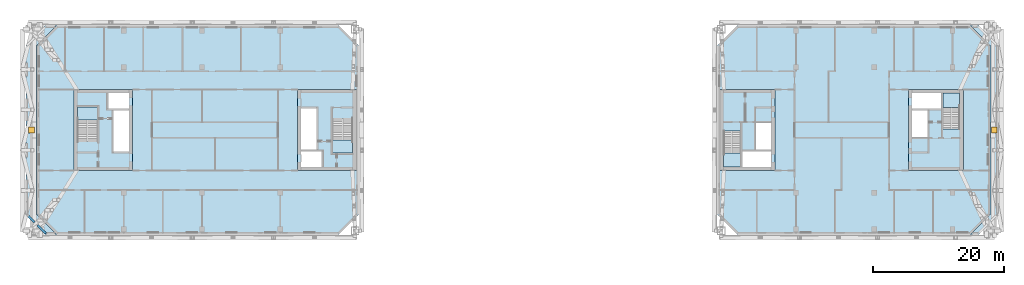
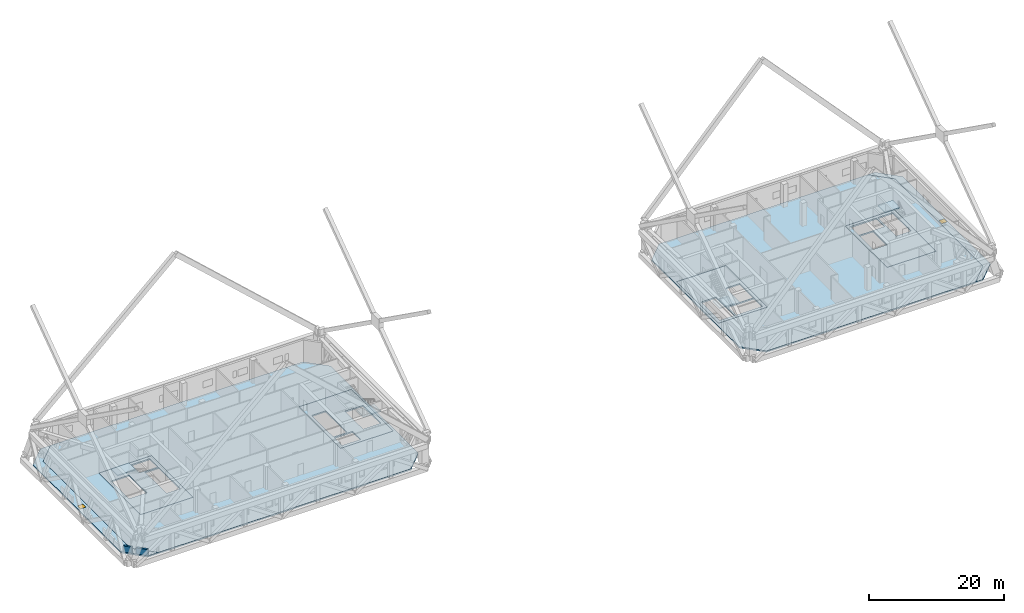
# One storey, part 6 of 22: 12 slabs, 2 walls, 2 windows, 2 openings, 4 elements without a shape of their own.
"""IFC4 building model written with IfcOpenShell, lengths in metres."""

import ifcopenshell
import ifcopenshell.guid

model = None  # the IFC model being written
_history = None  # IfcOwnerHistory: only IFC2X3 demands one
_inside = {}  # id of a spatial element -> (the spatial element, [elements in it])
_under = {}  # id of a project, library or spatial element -> (it, [spatial elements below it])
_declared = {}  # id of a project -> (the project, [libraries it declares])
_typed = {}  # id of a type object -> (the type object, [elements of that type])
_made_of = {}  # id of a material, layer set ... -> (it, [elements and type objects made of it])


def new_model(schema):
    """Start an empty IFC model of exactly this schema.

    Asked for "IFC4X3", IfcOpenShell would pick the latest addendum, in which some entities
    have other attributes; the version numbers below select the first issue.
    IFC2X3 requires an IfcOwnerHistory on every rooted entity: one is made here for all.
    """
    global model, _history
    if schema == "IFC4X3":
        model = ifcopenshell.file(schema_version=(4, 3, 0, 0))
    else:
        model = ifcopenshell.file(schema=schema)
    _inside.clear()
    _under.clear()
    _declared.clear()
    _typed.clear()
    _made_of.clear()
    _history = None
    if model.schema == "IFC2X3":
        org = make("IfcOrganization", Name="unknown")
        user = make(
            "IfcPersonAndOrganization",
            ThePerson=make("IfcPerson", FamilyName="unknown"),
            TheOrganization=org,
        )
        app = make(
            "IfcApplication",
            ApplicationDeveloper=org,
            Version="unknown",
            ApplicationFullName="unknown",
            ApplicationIdentifier="unknown",
        )
        _history = make(
            "IfcOwnerHistory",
            OwningUser=user,
            OwningApplication=app,
            ChangeAction="ADDED",
            CreationDate=0,
        )
    return model


def make(cls, **values):
    """One entity of the class cls with the attributes given. An attribute that is None is left unset."""
    return model.create_entity(
        cls, **{name: value for name, value in values.items() if value is not None}
    )


def rooted(cls, **values):
    """An entity with a GlobalId (a new one), such as an element, a storey or a relation."""
    return make(cls, GlobalId=ifcopenshell.guid.new(), OwnerHistory=_history, **values)


def si_unit(unit_type, name, prefix=None):
    """IfcSIUnit, for example si_unit("LENGTHUNIT", "METRE", prefix="MILLI")."""
    return make("IfcSIUnit", UnitType=unit_type, Prefix=prefix, Name=name)


def assignment(units):
    """IfcUnitAssignment: the units of a project."""
    return None if units is None else make("IfcUnitAssignment", Units=units)


def point(xyz):
    """IfcCartesianPoint."""
    return None if xyz is None else make("IfcCartesianPoint", Coordinates=xyz)


def direction(xyz):
    """IfcDirection."""
    return None if xyz is None else make("IfcDirection", DirectionRatios=xyz)


def frame(location, z_axis=None, x_axis=None):
    """IfcAxis2Placement3D, a coordinate frame: its origin and axes. An axis left out is left unset."""
    return make(
        "IfcAxis2Placement3D",
        Location=point(location),
        Axis=direction(z_axis),
        RefDirection=direction(x_axis),
    )


def frame_2d(location, x_axis=None):
    """IfcAxis2Placement2D, a coordinate frame in the plane: its origin and x axis."""
    return make(
        "IfcAxis2Placement2D", Location=point(location), RefDirection=direction(x_axis)
    )


def origin():
    """The frame at (0, 0, 0) with its axes left unset."""
    return frame((0.0, 0.0, 0.0))


def origin_2d():
    """The frame at (0, 0) in the plane with its x axis left unset."""
    return frame_2d((0.0, 0.0))


def place(relative_to, where):
    """IfcLocalPlacement: puts the frame where relative to a parent placement (None: the world)."""
    return make(
        "IfcLocalPlacement", PlacementRelTo=relative_to, RelativePlacement=where
    )


def context(
    kind, dimensions, precision=None, world=None, true_north=None, identifier=None
):
    """IfcGeometricRepresentationContext, for example the 3D "Model" context."""
    return make(
        "IfcGeometricRepresentationContext",
        ContextIdentifier=identifier,
        ContextType=kind,
        CoordinateSpaceDimension=dimensions,
        Precision=precision,
        WorldCoordinateSystem=world,
        TrueNorth=true_north,
    )


def subcontext(parent, identifier, kind, view, scale=None):
    """IfcGeometricRepresentationSubContext, for example "Body" below "Model"."""
    return make(
        "IfcGeometricRepresentationSubContext",
        ContextIdentifier=identifier,
        ContextType=kind,
        ParentContext=parent,
        TargetScale=scale,
        TargetView=view,
    )


def project(units=None, contexts=None):
    """IfcProject with its units and contexts."""
    return rooted(
        "IfcProject",
        Name="project",
        RepresentationContexts=contexts,
        UnitsInContext=assignment(units),
    )


def spatial(cls, under=None, at=None, **own):
    """A site, building, storey or space (cls), placed at a placement, below another one or the project."""
    s = rooted(cls, ObjectPlacement=at, **own)
    if under is not None:
        _under.setdefault(under.id(), (under, []))[1].append(s)
    return s


def polyline(points):
    """IfcPolyline through the points."""
    return make("IfcPolyline", Points=[point(p) for p in points])


def profile(cls, at=None, kind="AREA", **sizes):
    """A parametric profile (cls). Its sizes go by their IFC names, for example OverallWidth=200.0."""
    return make(cls, ProfileType=kind, Position=at, **sizes)


def rectangle(**sizes):
    """IfcRectangleProfileDef."""
    return profile("IfcRectangleProfileDef", **sizes)


def outline(outer, holes=None, kind="AREA"):
    """IfcArbitraryClosedProfileDef: a profile drawn as a closed curve; with holes, ...WithVoids."""
    if holes is None:
        return make("IfcArbitraryClosedProfileDef", ProfileType=kind, OuterCurve=outer)
    return make(
        "IfcArbitraryProfileDefWithVoids",
        ProfileType=kind,
        OuterCurve=outer,
        InnerCurves=holes,
    )


def extrude(swept, where, along, depth):
    """IfcExtrudedAreaSolid: the profile swept, set in the frame where, extruded along a direction by depth."""
    return make(
        "IfcExtrudedAreaSolid",
        SweptArea=swept,
        Position=where,
        ExtrudedDirection=direction(along),
        Depth=depth,
    )


def shape(context_of_items, identifier, shape_type, items):
    """IfcShapeRepresentation: the items that make up one representation, for example the "Body"."""
    return make(
        "IfcShapeRepresentation",
        ContextOfItems=context_of_items,
        RepresentationIdentifier=identifier,
        RepresentationType=shape_type,
        Items=items,
    )


def material(Name=None, Category=None):
    """IfcMaterial."""
    return make("IfcMaterial", Name=Name, Category=Category)


def layer(
    of_material, thickness, ventilated=None, Name=None, Category=None, Priority=None
):
    """IfcMaterialLayer: one layer of a wall or slab, of a material (None: an air gap)."""
    return make(
        "IfcMaterialLayer",
        Material=of_material,
        LayerThickness=thickness,
        IsVentilated=ventilated,
        Name=Name,
        Category=Category,
        Priority=Priority,
    )


def layer_set(layers, Name=None):
    """IfcMaterialLayerSet."""
    return make("IfcMaterialLayerSet", MaterialLayers=layers, LayerSetName=Name)


def made_of(thing, what):
    """Note that an element or type object is made of a material, layer set ...; save() writes the relation."""
    if what is not None:
        _made_of.setdefault(what.id(), (what, []))[1].append(thing)
    return thing


def type_object(cls, material=None, **own):
    """A type object (cls), such as IfcWallType, which elements share."""
    return made_of(rooted(cls, **own), material)


def element(
    cls,
    number,
    at=None,
    inside=None,
    cuts=None,
    type_object=None,
    material=None,
    context=None,
    identifier="Body",
    shape_type=None,
    held_by="IfcProductDefinitionShape",
    body=None,
    shapes=None,
    **own,
):
    """One element of the class cls, such as IfcWall. Its Tag is "e" and its number.

    at: its placement. inside: the storey or other place that contains it. cuts: it is an
    opening in that element (IfcRelVoidsElement). A single representation is given by context,
    identifier, shape_type and body (its items); several are given by shapes. held_by: the class
    of the entity that holds the representations. save() writes the other relations.
    """
    e = rooted(cls, Tag="e%d" % number, ObjectPlacement=at, **own)
    if body is not None:
        shapes = [shape(context, identifier, shape_type, body)]
    if shapes is not None:
        e.Representation = make(held_by, Representations=shapes)
    if inside is not None:
        _inside.setdefault(inside.id(), (inside, []))[1].append(e)
    if cuts is not None:
        rooted(
            "IfcRelVoidsElement", RelatingBuildingElement=cuts, RelatedOpeningElement=e
        )
    if type_object is not None:
        _typed.setdefault(type_object.id(), (type_object, []))[1].append(e)
    return made_of(e, material)


def fill(opening, filler):
    """IfcRelFillsElement: the door or window that sits in an opening."""
    return rooted(
        "IfcRelFillsElement",
        RelatingOpeningElement=opening,
        RelatedBuildingElement=filler,
    )


def aggregate(whole, parts):
    """IfcRelAggregates: a whole, such as a stair, and the parts it consists of."""
    return rooted("IfcRelAggregates", RelatingObject=whole, RelatedObjects=parts)


def save(model, path):
    """Write the relations noted so far, then the file.

    IfcRelAggregates (storeys below a building ...), IfcRelContainedInSpatialStructure (elements
    in a storey), IfcRelDefinesByType, IfcRelAssociatesMaterial and IfcRelDeclares: one each for
    every whole, place, type object, material and project.
    """
    for whole, parts in _under.values():
        aggregate(whole, parts)
    for where, things in _inside.values():
        rooted(
            "IfcRelContainedInSpatialStructure",
            RelatedElements=things,
            RelatingStructure=where,
        )
    for kind, things in _typed.values():
        rooted("IfcRelDefinesByType", RelatedObjects=things, RelatingType=kind)
    for what, things in _made_of.values():
        rooted("IfcRelAssociatesMaterial", RelatedObjects=things, RelatingMaterial=what)
    for by, libraries in _declared.values():
        rooted("IfcRelDeclares", RelatingContext=by, RelatedDefinitions=libraries)
    model.write(path)


model = new_model("IFC4")

# Units and contexts
model_context = context("Model", 3, precision=1e-05, world=origin(), true_north=direction((0.0, 1.0)))
body_context = subcontext(model_context, "Body", "Model", "MODEL_VIEW")
ifc_project = project(units=[si_unit("LENGTHUNIT", "METRE"), si_unit("AREAUNIT", "SQUARE_METRE"), si_unit("VOLUMEUNIT", "CUBIC_METRE"), si_unit("PLANEANGLEUNIT", "RADIAN"), si_unit("MASSUNIT", "GRAM", prefix="KILO")], contexts=[model_context])

# Site, building, storey
site_placement = place(None, origin())
site = spatial("IfcSite", under=ifc_project, at=site_placement, CompositionType="ELEMENT")
building_placement = place(site_placement, origin())
building = spatial("IfcBuilding", under=site, at=building_placement, Name="Tuart Gate Housing", CompositionType="ELEMENT")
storey_placement = place(building_placement, frame((0.0, 0.0, 115.0)))
storey = spatial("IfcBuildingStorey", under=building, at=storey_placement, Name="L32", CompositionType="ELEMENT", Elevation=115.0)

# Slabs
ifc_material_1 = material(Name="Concrete C40", Category="concrete")
ifc_layer_1 = layer(ifc_material_1, 0.25)
ifc_layer_set_1 = layer_set([ifc_layer_1], Name="Core floor slab 250")
slab_type_1 = type_object("IfcSlabType", Name="Core floor slab 250", PredefinedType="FLOOR", material=ifc_layer_set_1)
slab_1_placement = place(storey_placement, frame((0.0, 0.0, -0.25)))
element("IfcSlab", 1, at=slab_1_placement, inside=storey, type_object=slab_type_1, Name="Core floor AG", PredefinedType="FLOOR", context=body_context, shape_type="SweptSolid", body=[
    extrude(outline(polyline([(66.639892578125, 63.800048828125), (75.639892578125, 63.800048828125), (75.639892578125, 76.199951171875), (66.639892578125, 76.199951171875), (66.639892578125, 63.800048828125)]), holes=[polyline([(67.18994140625, 64.35009765625), (70.385009765625, 64.35009765625), (70.385009765625, 66.72509765625), (67.18994140625, 66.72509765625), (67.18994140625, 64.35009765625)]), polyline([(67.18994140625, 66.97509765625), (69.56494140625, 66.97509765625), (69.56494140625, 73.324951171875), (67.18994140625, 73.324951171875), (67.18994140625, 66.97509765625)]), polyline([(72.014892578125, 66.47509765625), (75.090087890625, 66.47509765625), (75.090087890625, 71.780029296875), (72.014892578125, 71.780029296875), (72.014892578125, 66.47509765625)])]), origin(), (0.0, 0.0, 1.0), 0.25),
])
slab_2_placement = place(storey_placement, frame((0.0, 0.0, -0.25)))
element("IfcSlab", 2, at=slab_2_placement, inside=storey, type_object=slab_type_1, Name="Core floor AK", PredefinedType="FLOOR", context=body_context, shape_type="SweptSolid", body=[
    extrude(outline(polyline([(32.360107421875, 63.800048828125), (41.360107421875, 63.800048828125), (41.360107421875, 76.199951171875), (32.360107421875, 76.199951171875), (32.360107421875, 63.800048828125)]), holes=[polyline([(40.81005859375, 75.64990234375), (37.614990234375, 75.64990234375), (37.614990234375, 73.27490234375), (40.81005859375, 73.27490234375), (40.81005859375, 75.64990234375)]), polyline([(40.81005859375, 73.02490234375), (38.43505859375, 73.02490234375), (38.43505859375, 66.675048828125), (40.81005859375, 66.675048828125), (40.81005859375, 73.02490234375)]), polyline([(35.985107421875, 73.52490234375), (32.909912109375, 73.52490234375), (32.909912109375, 68.219970703125), (35.985107421875, 68.219970703125), (35.985107421875, 73.52490234375)])]), origin(), (0.0, 0.0, 1.0), 0.25),
])
slab_3_placement = place(storey_placement, frame((0.0, 0.0, -0.25)))
element("IfcSlab", 3, at=slab_3_placement, inside=storey, type_object=slab_type_1, Name="Core floor BG", PredefinedType="FLOOR", context=body_context, shape_type="SweptSolid", body=[
    extrude(outline(polyline([(131.360107421875, 63.800048828125), (139.760009765625, 63.800048828125), (139.760009765625, 76.199951171875), (131.360107421875, 76.199951171875), (131.360107421875, 63.800048828125)]), holes=[polyline([(139.2099609375, 66.85009765625), (134.735107421875, 66.85009765625), (134.735107421875, 64.35009765625), (139.2099609375, 64.35009765625), (139.2099609375, 66.85009765625)]), polyline([(139.2099609375, 71.125), (136.8349609375, 71.125), (136.8349609375, 66.97509765625), (139.2099609375, 66.97509765625), (139.2099609375, 71.125)]), polyline([(134.485107421875, 69.830078125), (131.909912109375, 69.830078125), (131.909912109375, 64.35009765625), (134.485107421875, 64.35009765625), (134.485107421875, 69.830078125)])]), origin(), (0.0, 0.0, 1.0), 0.25),
])
slab_4_placement = place(storey_placement, frame((0.0, 0.0, -0.25)))
element("IfcSlab", 4, at=slab_4_placement, inside=storey, type_object=slab_type_1, Name="Core floor BK", PredefinedType="FLOOR", context=body_context, shape_type="SweptSolid", body=[
    extrude(outline(polyline([(160.239990234375, 63.800048828125), (168.639892578125, 63.800048828125), (168.639892578125, 76.199951171875), (160.239990234375, 76.199951171875), (160.239990234375, 63.800048828125)]), holes=[polyline([(160.7900390625, 73.14990234375), (165.264892578125, 73.14990234375), (165.264892578125, 75.64990234375), (160.7900390625, 75.64990234375), (160.7900390625, 73.14990234375)]), polyline([(160.7900390625, 68.875), (163.1650390625, 68.875), (163.1650390625, 73.02490234375), (160.7900390625, 73.02490234375), (160.7900390625, 68.875)]), polyline([(165.514892578125, 70.169921875), (168.090087890625, 70.169921875), (168.090087890625, 75.64990234375), (165.514892578125, 75.64990234375), (165.514892578125, 70.169921875)])]), origin(), (0.0, 0.0, 1.0), 0.25),
])
ifc_material_2 = material(Name="Concrete C40", Category="concrete")
ifc_layer_2 = layer(ifc_material_2, 0.25)
ifc_layer_set_2 = layer_set([ifc_layer_2], Name="Flat plate 250")
slab_type_2 = type_object("IfcSlabType", Name="Flat plate 250", PredefinedType="FLOOR", material=ifc_layer_set_2)
slab_5_placement = place(storey_placement, frame((0.0, 0.0, -0.25)))
element("IfcSlab", 5, at=slab_5_placement, inside=storey, type_object=slab_type_2, Name="Floor slab A L32", PredefinedType="FLOOR", context=body_context, shape_type="SweptSolid", body=[
    extrude(outline(polyline([(29.75, 86.0), (26.75, 83.0), (26.75, 57.0), (29.75, 54.0), (73.0, 54.0), (76.0, 57.0), (76.0, 83.0), (73.0, 86.0), (29.75, 86.0)]), holes=[polyline([(66.639892578125, 76.199951171875), (75.639892578125, 76.199951171875), (75.639892578125, 63.800048828125), (66.639892578125, 63.800048828125), (66.639892578125, 76.199951171875)]), polyline([(41.360107421875, 76.199951171875), (41.360107421875, 63.800048828125), (32.360107421875, 63.800048828125), (32.360107421875, 76.199951171875), (41.360107421875, 76.199951171875)])]), origin(), (0.0, 0.0, 1.0), 0.25),
])
slab_6_placement = place(storey_placement, frame((0.0, 0.0, -0.25)))
element("IfcSlab", 6, at=slab_6_placement, inside=storey, type_object=slab_type_2, Name="Floor slab B L32", PredefinedType="FLOOR", context=body_context, shape_type="SweptSolid", body=[
    extrude(outline(polyline([(134.0, 86.0), (131.0, 83.0), (131.0, 57.0), (134.0, 54.0), (169.75, 54.0), (172.75, 57.0), (172.75, 83.0), (169.75, 86.0), (134.0, 86.0)]), holes=[polyline([(131.360107421875, 76.199951171875), (139.760009765625, 76.199951171875), (139.760009765625, 63.800048828125), (131.360107421875, 63.800048828125), (131.360107421875, 76.199951171875)]), polyline([(168.639892578125, 76.199951171875), (168.639892578125, 63.800048828125), (160.239990234375, 63.800048828125), (160.239990234375, 76.199951171875), (168.639892578125, 76.199951171875)])]), origin(), (0.0, 0.0, 1.0), 0.25),
])

# Slab, opening, window
ifc_material_3 = material(Name="Concrete C40", Category="concrete")
ifc_layer_3 = layer(ifc_material_3, 0.25)
ifc_layer_set_3 = layer_set([ifc_layer_3], Name="Roof slab 250")
slab_type_3 = type_object("IfcSlabType", Name="Roof slab 250", PredefinedType="ROOF", material=ifc_layer_set_3)
slab_7_placement = place(storey_placement, frame((0.0, 0.0, -0.25)))
slab_7 = element("IfcSlab", 7, at=slab_7_placement, inside=storey, type_object=slab_type_3, Name="Setback roof slab A L32", PredefinedType="ROOF", context=body_context, shape_type="SweptSolid", body=[
    extrude(outline(polyline([(28.0, 54.0), (29.75, 54.0), (26.75, 57.0), (26.75, 83.0), (29.75, 86.0), (28.0, 86.0), (25.0, 83.0), (25.0, 57.0), (28.0, 54.0)])), origin(), (0.0, 0.0, 1.0), 0.25),
])
opening_1_placement = place(slab_7_placement, frame((25.875, 70.0, 0.0)))
opening_1 = element("IfcOpeningElement", 8, at=opening_1_placement, cuts=slab_7, Name="Opening RH1", PredefinedType="OPENING", context=body_context, shape_type="SweptSolid", body=[
    extrude(rectangle(XDim=0.89990234375, YDim=0.89990234375, at=origin_2d()), frame((0.0, 0.0, -0.010009765625)), (0.0, 0.0, 1.0), 0.27001953125),
])
ifc_material_4 = material(Name="Aluminium frame with clear glass", Category="aluminium")
window_type = type_object("IfcWindowType", Name="Roof hatch 900 x 900", PartitioningType="SINGLE_PANEL", PredefinedType="SKYLIGHT", material=ifc_material_4)
window_1_placement = place(opening_1_placement, frame((0.0, 0.0, 0.199951171875)))
window_1 = element("IfcWindow", 9, at=window_1_placement, inside=storey, type_object=window_type, Name="Roof hatch", OverallHeight=0.89990234375, OverallWidth=0.89990234375, PartitioningType="SINGLE_PANEL", PredefinedType="SKYLIGHT", context=body_context, shape_type="SweptSolid", body=[
    extrude(rectangle(XDim=0.89990234375, YDim=0.89990234375, at=origin_2d()), origin(), (0.0, 0.0, 1.0), 0.050048828125),
])
fill(opening_1, window_1)

slab_8_placement = place(storey_placement, frame((0.0, 0.0, -0.25)))
slab_8 = element("IfcSlab", 10, at=slab_8_placement, inside=storey, type_object=slab_type_3, Name="Setback roof slab B L32", PredefinedType="ROOF", context=body_context, shape_type="SweptSolid", body=[
    extrude(outline(polyline([(171.0, 86.0), (169.75, 86.0), (172.75, 83.0), (172.75, 57.0), (169.75, 54.0), (171.0, 54.0), (174.0, 57.0), (174.0, 83.0), (171.0, 86.0)])), origin(), (0.0, 0.0, 1.0), 0.25),
])
opening_2_placement = place(slab_8_placement, frame((173.375, 70.0, 0.0)))
opening_2 = element("IfcOpeningElement", 11, at=opening_2_placement, cuts=slab_8, Name="Opening RH1", PredefinedType="OPENING", context=body_context, shape_type="SweptSolid", body=[
    extrude(rectangle(XDim=0.89990234375, YDim=0.89990234375, at=origin_2d()), frame((0.0, 0.0, -0.010009765625)), (0.0, 0.0, 1.0), 0.27001953125),
])
window_2_placement = place(opening_2_placement, frame((0.0, 0.0, 0.199951171875)))
window_2 = element("IfcWindow", 12, at=window_2_placement, inside=storey, type_object=window_type, Name="Roof hatch", OverallHeight=0.89990234375, OverallWidth=0.89990234375, PartitioningType="SINGLE_PANEL", PredefinedType="SKYLIGHT", context=body_context, shape_type="SweptSolid", body=[
    extrude(rectangle(XDim=0.89990234375, YDim=0.89990234375, at=origin_2d()), origin(), (0.0, 0.0, 1.0), 0.050048828125),
])
fill(opening_2, window_2)

# Stair, slab
ifc_material_5 = material(Name="Concrete C40", Category="concrete")
stair_type_1 = type_object("IfcStairType", Name="Core stair 1500", PredefinedType="HALF_TURN_STAIR", material=ifc_material_5)
stair_1_placement = place(storey_placement, origin())
stair_1 = element("IfcStair", 13, at=stair_1_placement, inside=storey, type_object=stair_type_1, Name="Stair SA1", PredefinedType="HALF_TURN_STAIR")
ifc_material_6 = material(Name="Concrete C40", Category="concrete")
ifc_layer_4 = layer(ifc_material_6, 0.199951171875)
ifc_layer_set_4 = layer_set([ifc_layer_4], Name="Stair landing 200")
slab_type_4 = type_object("IfcSlabType", Name="Stair landing 200", PredefinedType="LANDING", material=ifc_layer_set_4)
slab_9_placement = place(storey_placement, frame((0.0, 0.0, 2.050048828125)))
slab_9 = element("IfcSlab", 14, at=slab_9_placement, type_object=slab_type_4, Name="SA1 landing 1", PredefinedType="LANDING", context=body_context, shape_type="SweptSolid", body=[
    extrude(outline(polyline([(72.014892578125, 66.47509765625), (75.090087890625, 66.47509765625), (75.090087890625, 68.465087890625), (72.014892578125, 68.465087890625), (72.014892578125, 66.47509765625)])), origin(), (0.0, 0.0, 1.0), 0.199951171875),
])
aggregate(stair_1, [slab_9])

stair_2_placement = place(storey_placement, origin())
stair_2 = element("IfcStair", 15, at=stair_2_placement, inside=storey, type_object=stair_type_1, Name="Stair SA2", PredefinedType="HALF_TURN_STAIR")
slab_10_placement = place(storey_placement, frame((0.0, 0.0, 2.050048828125)))
slab_10 = element("IfcSlab", 16, at=slab_10_placement, type_object=slab_type_4, Name="SA2 landing 1", PredefinedType="LANDING", context=body_context, shape_type="SweptSolid", body=[
    extrude(outline(polyline([(35.985107421875, 73.52490234375), (32.909912109375, 73.52490234375), (32.909912109375, 71.534912109375), (35.985107421875, 71.534912109375), (35.985107421875, 73.52490234375)])), origin(), (0.0, 0.0, 1.0), 0.199951171875),
])
aggregate(stair_2, [slab_10])

ifc_material_7 = material(Name="Concrete C40", Category="concrete")
stair_type_2 = type_object("IfcStairType", Name="Core stair 1250", PredefinedType="HALF_TURN_STAIR", material=ifc_material_7)
stair_3_placement = place(storey_placement, origin())
stair_3 = element("IfcStair", 17, at=stair_3_placement, inside=storey, type_object=stair_type_2, Name="Stair SB1", PredefinedType="HALF_TURN_STAIR")
slab_11_placement = place(storey_placement, frame((0.0, 0.0, 2.050048828125)))
slab_11 = element("IfcSlab", 18, at=slab_11_placement, type_object=slab_type_4, Name="SB1 landing 1", PredefinedType="LANDING", context=body_context, shape_type="SweptSolid", body=[
    extrude(outline(polyline([(134.485107421875, 66.514892578125), (131.909912109375, 66.514892578125), (131.909912109375, 64.35009765625), (134.485107421875, 64.35009765625), (134.485107421875, 66.514892578125)])), origin(), (0.0, 0.0, 1.0), 0.199951171875),
])
aggregate(stair_3, [slab_11])

stair_4_placement = place(storey_placement, origin())
stair_4 = element("IfcStair", 19, at=stair_4_placement, inside=storey, type_object=stair_type_2, Name="Stair SB2", PredefinedType="HALF_TURN_STAIR")
slab_12_placement = place(storey_placement, frame((0.0, 0.0, 2.050048828125)))
slab_12 = element("IfcSlab", 20, at=slab_12_placement, type_object=slab_type_4, Name="SB2 landing 1", PredefinedType="LANDING", context=body_context, shape_type="SweptSolid", body=[
    extrude(outline(polyline([(165.514892578125, 73.485107421875), (168.090087890625, 73.485107421875), (168.090087890625, 75.64990234375), (165.514892578125, 75.64990234375), (165.514892578125, 73.485107421875)])), origin(), (0.0, 0.0, 1.0), 0.199951171875),
])
aggregate(stair_4, [slab_12])

# Walls
ifc_material_8 = material(Name="Brick", Category="masonry")
ifc_layer_5 = layer(ifc_material_8, 0.300048828125)
ifc_layer_set_5 = layer_set([ifc_layer_5], Name="Brick parapet wall 300")
wall_type = type_object("IfcWallType", Name="Brick parapet wall 300", PredefinedType="PARAPET", material=ifc_layer_set_5)
wall_1_placement = place(storey_placement, frame((25.39794921875, 56.814208984375, 0.0), z_axis=(0.0, 0.0, 1.0), x_axis=(0.707106781187, -0.707106781187, 0.0)))
element("IfcWall", 21, at=wall_1_placement, inside=storey, type_object=wall_type, Name="Roof parapet A 4", PredefinedType="PARAPET", context=body_context, shape_type="SweptSolid", body=[
    extrude(rectangle(XDim=1.351806640625, YDim=0.300048828125, at=frame_2d((0.67578125, 0.0))), origin(), (0.0, 0.0, 1.0), 1.10009765625),
])
wall_2_placement = place(storey_placement, frame((26.810302734375, 55.40185546875, 0.0), z_axis=(0.0, 0.0, 1.0), x_axis=(0.707037825433, -0.707175730216, 0.0)))
element("IfcWall", 22, at=wall_2_placement, inside=storey, type_object=wall_type, Name="Roof parapet A 4", PredefinedType="PARAPET", context=body_context, shape_type="SweptSolid", body=[
    extrude(rectangle(XDim=1.770263671875, YDim=0.300048828125, at=frame_2d((0.88525390625, 0.0))), origin(), (0.0, 0.0, 1.0), 1.10009765625),
])

save(model, "model.ifc")
